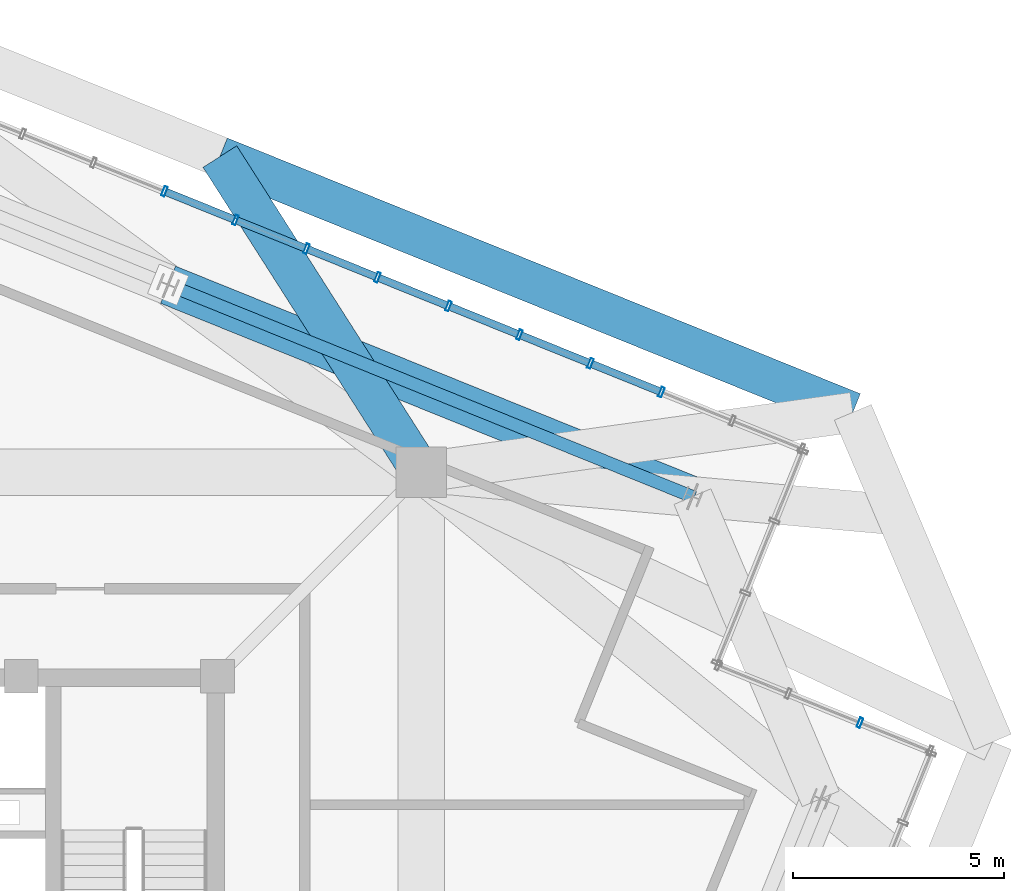
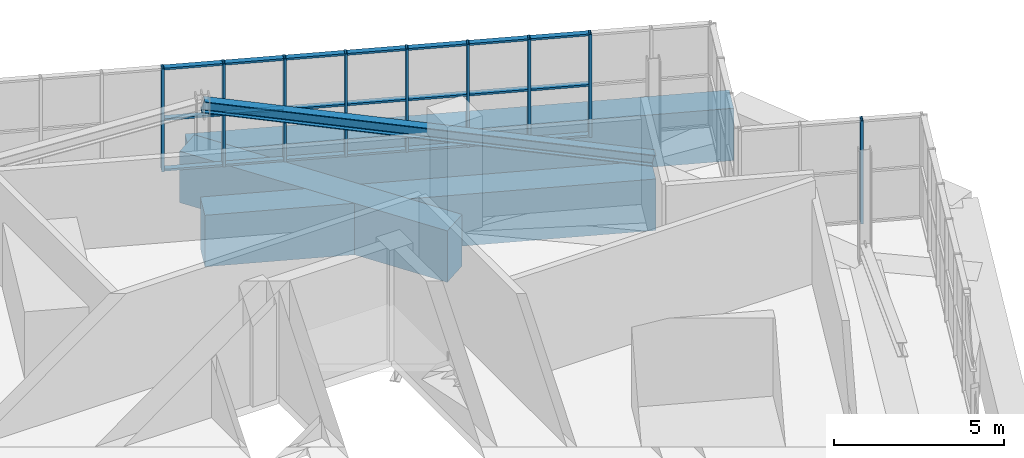
# One storey, part 26 of 35: 31 members, 3 beams, 2 elements without a shape of their own.
"""IFC4 building model written with IfcOpenShell, lengths in metres."""

from ifc_helpers import new_model, si_unit, direction, frame, origin, origin_2d, place, context, subcontext, project, spatial, rectangle, hollow_rectangle, i_section, extrude, source, transform, mapped, material, layer, layer_set, material_profile, profile_set, type_object, element, aggregate, save


model = new_model("IFC4")

# Units and contexts
model_context = context("Model", 3, precision=1e-05, world=origin(), true_north=direction((0.0, 1.0)))
body_context = subcontext(model_context, "Body", "Model", "MODEL_VIEW")
ifc_project = project(units=[si_unit("LENGTHUNIT", "METRE"), si_unit("AREAUNIT", "SQUARE_METRE"), si_unit("VOLUMEUNIT", "CUBIC_METRE"), si_unit("PLANEANGLEUNIT", "RADIAN"), si_unit("MASSUNIT", "GRAM", prefix="KILO"), si_unit("THERMODYNAMICTEMPERATUREUNIT", "KELVIN")], contexts=[model_context])

# Site, building, storey
site_placement = place(None, origin())
site = spatial("IfcSite", under=ifc_project, at=site_placement, CompositionType="ELEMENT")
building_placement = place(site_placement, origin())
building = spatial("IfcBuilding", under=site, at=building_placement, Name="Kosmvard Interchange Tower", CompositionType="ELEMENT")
storey_placement = place(building_placement, frame((0.0, 0.0, 321.60009765625)))
storey = spatial("IfcBuildingStorey", under=building, at=storey_placement, Name="L79", CompositionType="ELEMENT", Elevation=321.60009765625)

# Beams
ifc_material_1 = material(Name="Concrete C60/75", Category="concrete")
ifc_material_profile_1 = material_profile(ifc_material_1, rectangle(XDim=0.949951171875, YDim=1.8798828125, at=origin_2d()), Name="TG 950x1880")
ifc_profile_set_1 = profile_set([ifc_material_profile_1], Name="Concrete C60/75")
beam_type_1 = type_object("IfcBeamType", Name="Upper Long-Span Transfer Girder 950x1880 C60/75", PredefinedType="USERDEFINED", material=ifc_profile_set_1)
shared_shape_1 = source(origin(), body_context, "Body", "SweptSolid", [
    extrude(rectangle(XDim=0.949951171875, YDim=1.8798828125, at=origin_2d()), origin(), (0.0, 0.0, 1.0), 16.175048828125),
])
beam_1_placement = place(storey_placement, frame((23.30419921875, 14.5009765625, -0.940185546875), z_axis=(-0.927183472009, 0.374607540279, 0.0), x_axis=(-0.374607540279, -0.927183472009, 0.0)))
element("IfcBeam", 1, at=beam_1_placement, inside=storey, type_object=beam_type_1, Name="BM-L79-LR04", ObjectType="TRANSFER_GIRDER", PredefinedType="USERDEFINED", context=body_context, shape_type="MappedRepresentation", body=[
    mapped(shared_shape_1, transform((0.0, 0.0, 0.0), scale=1.0)),
])
ifc_material_profile_2 = material_profile(ifc_material_1, rectangle(XDim=0.949951171875, YDim=1.85009765625, at=origin_2d()), Name="TG 950x1850")
ifc_profile_set_2 = profile_set([ifc_material_profile_2], Name="Concrete C60/75")
beam_type_2 = type_object("IfcBeamType", Name="Upper Transfer Ring Girder 950x1850 C60/75", PredefinedType="USERDEFINED", material=ifc_profile_set_2)
shared_shape_2 = source(origin(), body_context, "Body", "SweptSolid", [
    extrude(rectangle(XDim=0.949951171875, YDim=1.85009765625, at=origin_2d()), origin(), (0.0, 0.0, 1.0), 8.873046875),
])
beam_2_placement = place(storey_placement, frame((13.0810546875, 13.0810546875, -0.925048828125), z_axis=(-0.538050011119, 0.842912916934, 0.0), x_axis=(-0.842912916934, -0.538050011119, 0.0)))
element("IfcBeam", 2, at=beam_2_placement, inside=storey, type_object=beam_type_2, Name="BM-L79-LD05", ObjectType="TRANSFER_GIRDER", PredefinedType="USERDEFINED", context=body_context, shape_type="MappedRepresentation", body=[
    mapped(shared_shape_2, transform((0.0, 0.0, 0.0), scale=1.0)),
])
shared_shape_3 = source(origin(), body_context, "Body", "SweptSolid", [
    extrude(rectangle(XDim=0.949951171875, YDim=1.85009765625, at=origin_2d()), origin(), (0.0, 0.0, 1.0), 13.39990234375),
])
beam_3_placement = place(storey_placement, frame((19.50439453125, 12.504150390625, -0.925048828125), z_axis=(-0.927189515839, 0.374592580972, 0.0), x_axis=(-0.374592580972, -0.927189515839, 0.0)))
element("IfcBeam", 3, at=beam_3_placement, inside=storey, type_object=beam_type_2, Name="BM-L79-PR04", ObjectType="TRANSFER_GIRDER", PredefinedType="USERDEFINED", context=body_context, shape_type="MappedRepresentation", body=[
    mapped(shared_shape_3, transform((0.0, 0.0, 0.0), scale=1.0)),
])

# Member
ifc_material_2 = material(Name="Steel S355", Category="steel")
ifc_material_profile_3 = material_profile(ifc_material_2, i_section(OverallWidth=0.300048828125, OverallDepth=0.39990234375, WebThickness=0.013427734375, FlangeThickness=0.02392578125, FilletRadius=0.027099609375, at=origin_2d()), Name="HEB 400")
ifc_profile_set_3 = profile_set([ifc_material_profile_3], Name="Steel S355")
member_type_1 = type_object("IfcMemberType", Name="Lantern Crown Diagrid Brace HEB 400 S355", PredefinedType="BRACE", material=ifc_profile_set_3)
shared_shape_4 = source(origin(), body_context, "Body", "SweptSolid", [
    extrude(i_section(OverallWidth=0.300048828125, OverallDepth=0.39990234375, WebThickness=0.013427734375, FlangeThickness=0.02392578125, FilletRadius=0.027099609375, at=origin_2d()), origin(), (0.0, 0.0, 1.0), 13.78369140625),
])
member_1_placement = place(storey_placement, frame((19.50439453125, 12.504150390625, 0.419921875), z_axis=(-0.901373372792, 0.364162635972, 0.234332279859), x_axis=(-0.374592580972, -0.927189515839, 0.0)))
element("IfcMember", 4, at=member_1_placement, inside=storey, type_object=member_type_1, Name="L79 Crown Lantern Diagrid Brace E1", PredefinedType="BRACE", context=body_context, shape_type="MappedRepresentation", body=[
    mapped(shared_shape_4, transform((0.0, 0.0, 0.0), scale=1.0)),
])

# Curtain wall, member
ifc_material_3 = material(Name="Architectural anodised aluminium", Category="aluminium")
ifc_layer = layer(ifc_material_3, 0.25, Name="Architectural anodised aluminium")
ifc_layer_set = layer_set([ifc_layer], Name="Architectural anodised aluminium")
curtain_wall_type = type_object("IfcCurtainWallType", Name="CW-6 Illuminated Crown Lantern Curtain Wall", PredefinedType="NOTDEFINED", material=ifc_layer_set)
curtain_wall_1_placement = place(storey_placement, origin())
curtain_wall_1 = element("IfcCurtainWall", 5, at=curtain_wall_1_placement, inside=storey, type_object=curtain_wall_type, Name="L79 Crown Lantern Glazing Face 02", PredefinedType="NOTDEFINED")
ifc_material_profile_4 = material_profile(ifc_material_3, hollow_rectangle(XDim=0.239990234375, YDim=0.080078125, WallThickness=0.006103515625, at=origin_2d()), Name="CWM 240x80x6")
ifc_profile_set_4 = profile_set([ifc_material_profile_4], Name="Architectural anodised aluminium")
member_type_2 = type_object("IfcMemberType", Name="Lantern & Observation CW Mullion 240x80 Aluminium", PredefinedType="MULLION", material=ifc_profile_set_4)
shared_shape_5 = source(origin(), body_context, "Body", "SweptSolid", [
    extrude(hollow_rectangle(XDim=0.239990234375, YDim=0.080078125, WallThickness=0.006103515625, at=origin_2d()), origin(), (0.0, 0.0, 1.0), 3.699951171875),
])
member_2_placement = place(storey_placement, frame((23.473388671875, 7.147216796875, 0.0), z_axis=(0.0, 0.0, 1.0), x_axis=(-0.374606564822, -0.92718386612, 0.0)))
member_2 = element("IfcMember", 6, at=member_2_placement, type_object=member_type_2, Name="CW-6 mullion 2", PredefinedType="MULLION", context=body_context, shape_type="MappedRepresentation", body=[
    mapped(shared_shape_5, transform((0.0, 0.0, 0.0), scale=1.0)),
])
aggregate(curtain_wall_1, [member_2])

# Curtain wall, members
curtain_wall_2_placement = place(storey_placement, origin())
curtain_wall_2 = element("IfcCurtainWall", 7, at=curtain_wall_2_placement, inside=storey, type_object=curtain_wall_type, Name="L79 Crown Lantern Glazing Face 04", PredefinedType="NOTDEFINED")
member_3_placement = place(storey_placement, frame((18.77001953125, 14.9794921875, 0.0), z_axis=(0.0, 0.0, 1.0), x_axis=(-0.374606584758, -0.927183858065, 0.0)))
member_3 = element("IfcMember", 8, at=member_3_placement, type_object=member_type_2, Name="CW-6 mullion 3", PredefinedType="MULLION", context=body_context, shape_type="MappedRepresentation", body=[
    mapped(shared_shape_5, transform((0.0, 0.0, 0.0), scale=1.0)),
])
member_4_placement = place(storey_placement, frame((17.087890625, 15.658935546875, 0.0), z_axis=(0.0, 0.0, 1.0), x_axis=(-0.374606584758, -0.927183858065, 0.0)))
member_4 = element("IfcMember", 9, at=member_4_placement, type_object=member_type_2, Name="CW-6 mullion 4", PredefinedType="MULLION", context=body_context, shape_type="MappedRepresentation", body=[
    mapped(shared_shape_5, transform((0.0, 0.0, 0.0), scale=1.0)),
])
member_5_placement = place(storey_placement, frame((15.40576171875, 16.338623046875, 0.0), z_axis=(0.0, 0.0, 1.0), x_axis=(-0.374606584758, -0.927183858065, 0.0)))
member_5 = element("IfcMember", 10, at=member_5_placement, type_object=member_type_2, Name="CW-6 mullion 5", PredefinedType="MULLION", context=body_context, shape_type="MappedRepresentation", body=[
    mapped(shared_shape_5, transform((0.0, 0.0, 0.0), scale=1.0)),
])
member_6_placement = place(storey_placement, frame((13.723876953125, 17.01806640625, 0.0), z_axis=(0.0, 0.0, 1.0), x_axis=(-0.374606584758, -0.927183858065, 0.0)))
member_6 = element("IfcMember", 11, at=member_6_placement, type_object=member_type_2, Name="CW-6 mullion 6", PredefinedType="MULLION", context=body_context, shape_type="MappedRepresentation", body=[
    mapped(shared_shape_5, transform((0.0, 0.0, 0.0), scale=1.0)),
])
member_7_placement = place(storey_placement, frame((12.041748046875, 17.69775390625, 0.0), z_axis=(0.0, 0.0, 1.0), x_axis=(-0.374606584758, -0.927183858065, 0.0)))
member_7 = element("IfcMember", 12, at=member_7_placement, type_object=member_type_2, Name="CW-6 mullion 7", PredefinedType="MULLION", context=body_context, shape_type="MappedRepresentation", body=[
    mapped(shared_shape_5, transform((0.0, 0.0, 0.0), scale=1.0)),
])
member_8_placement = place(storey_placement, frame((10.35986328125, 18.377197265625, 0.0), z_axis=(0.0, 0.0, 1.0), x_axis=(-0.374606584758, -0.927183858065, 0.0)))
member_8 = element("IfcMember", 13, at=member_8_placement, type_object=member_type_2, Name="CW-6 mullion 8", PredefinedType="MULLION", context=body_context, shape_type="MappedRepresentation", body=[
    mapped(shared_shape_5, transform((0.0, 0.0, 0.0), scale=1.0)),
])
member_9_placement = place(storey_placement, frame((8.677734375, 19.056884765625, 0.0), z_axis=(0.0, 0.0, 1.0), x_axis=(-0.374606584758, -0.927183858065, 0.0)))
member_9 = element("IfcMember", 14, at=member_9_placement, type_object=member_type_2, Name="CW-6 mullion 9", PredefinedType="MULLION", context=body_context, shape_type="MappedRepresentation", body=[
    mapped(shared_shape_5, transform((0.0, 0.0, 0.0), scale=1.0)),
])
member_10_placement = place(storey_placement, frame((6.995849609375, 19.736572265625, 0.0), z_axis=(0.0, 0.0, 1.0), x_axis=(-0.374606584758, -0.927183858065, 0.0)))
member_10 = element("IfcMember", 15, at=member_10_placement, type_object=member_type_2, Name="CW-6 mullion 10", PredefinedType="MULLION", context=body_context, shape_type="MappedRepresentation", body=[
    mapped(shared_shape_5, transform((0.0, 0.0, 0.0), scale=1.0)),
])
ifc_material_profile_5 = material_profile(ifc_material_3, hollow_rectangle(XDim=0.179931640625, YDim=0.070068359375, WallThickness=0.0048828125, at=origin_2d()), Name="CWT 180x70x5")
ifc_profile_set_5 = profile_set([ifc_material_profile_5], Name="Architectural anodised aluminium")
member_type_3 = type_object("IfcMemberType", Name="Heavy Lantern CW Transom 180x70 Aluminium", PredefinedType="USERDEFINED", material=ifc_profile_set_5)
shared_shape_6 = source(origin(), body_context, "Body", "SweptSolid", [
    extrude(hollow_rectangle(XDim=0.179931640625, YDim=0.070068359375, WallThickness=0.0048828125, at=origin_2d()), origin(), (0.0, 0.0, 1.0), 1.734130859375),
])
member_11_placement = place(storey_placement, frame((18.73291015625, 14.994384765625, 0.034912109375), z_axis=(-0.927179782522, 0.374616671924, 0.0), x_axis=(-0.374616671924, -0.927179782522, 0.0)))
member_11 = element("IfcMember", 16, at=member_11_placement, type_object=member_type_3, Name="CW-6 transom 3.1", ObjectType="TRANSOM", PredefinedType="USERDEFINED", context=body_context, shape_type="MappedRepresentation", body=[
    mapped(shared_shape_6, transform((0.0, 0.0, 0.0), scale=1.0)),
])
member_12_placement = place(storey_placement, frame((18.73291015625, 14.994384765625, 1.849853515625), z_axis=(-0.927179782522, 0.374616671924, 0.0), x_axis=(-0.374616671924, -0.927179782522, 0.0)))
member_12 = element("IfcMember", 17, at=member_12_placement, type_object=member_type_3, Name="CW-6 transom 3.2", ObjectType="TRANSOM", PredefinedType="USERDEFINED", context=body_context, shape_type="MappedRepresentation", body=[
    mapped(shared_shape_6, transform((0.0, 0.0, 0.0), scale=1.0)),
])
member_13_placement = place(storey_placement, frame((18.73291015625, 14.994384765625, 3.664794921875), z_axis=(-0.927179782522, 0.374616671924, 0.0), x_axis=(-0.374616671924, -0.927179782522, 0.0)))
member_13 = element("IfcMember", 18, at=member_13_placement, type_object=member_type_3, Name="CW-6 transom 3.3", ObjectType="TRANSOM", PredefinedType="USERDEFINED", context=body_context, shape_type="MappedRepresentation", body=[
    mapped(shared_shape_6, transform((0.0, 0.0, 0.0), scale=1.0)),
])
member_14_placement = place(storey_placement, frame((17.05078125, 15.674072265625, 0.034912109375), z_axis=(-0.927228675447, 0.374495638732, 0.0), x_axis=(-0.374495638732, -0.927228675447, 0.0)))
member_14 = element("IfcMember", 19, at=member_14_placement, type_object=member_type_3, Name="CW-6 transom 4.1", ObjectType="TRANSOM", PredefinedType="USERDEFINED", context=body_context, shape_type="MappedRepresentation", body=[
    mapped(shared_shape_6, transform((0.0, 0.0, 0.0), scale=1.0)),
])
member_15_placement = place(storey_placement, frame((17.05078125, 15.674072265625, 1.849853515625), z_axis=(-0.927228675447, 0.374495638732, 0.0), x_axis=(-0.374495638732, -0.927228675447, 0.0)))
member_15 = element("IfcMember", 20, at=member_15_placement, type_object=member_type_3, Name="CW-6 transom 4.2", ObjectType="TRANSOM", PredefinedType="USERDEFINED", context=body_context, shape_type="MappedRepresentation", body=[
    mapped(shared_shape_6, transform((0.0, 0.0, 0.0), scale=1.0)),
])
member_16_placement = place(storey_placement, frame((17.05078125, 15.674072265625, 3.664794921875), z_axis=(-0.927228675447, 0.374495638732, 0.0), x_axis=(-0.374495638732, -0.927228675447, 0.0)))
member_16 = element("IfcMember", 21, at=member_16_placement, type_object=member_type_3, Name="CW-6 transom 4.3", ObjectType="TRANSOM", PredefinedType="USERDEFINED", context=body_context, shape_type="MappedRepresentation", body=[
    mapped(shared_shape_6, transform((0.0, 0.0, 0.0), scale=1.0)),
])
member_17_placement = place(storey_placement, frame((15.368896484375, 16.353515625, 0.034912109375), z_axis=(-0.927179782522, 0.374616671924, 0.0), x_axis=(-0.374616671924, -0.927179782522, 0.0)))
member_17 = element("IfcMember", 22, at=member_17_placement, type_object=member_type_3, Name="CW-6 transom 5.1", ObjectType="TRANSOM", PredefinedType="USERDEFINED", context=body_context, shape_type="MappedRepresentation", body=[
    mapped(shared_shape_6, transform((0.0, 0.0, 0.0), scale=1.0)),
])
member_18_placement = place(storey_placement, frame((15.368896484375, 16.353515625, 1.849853515625), z_axis=(-0.927179782522, 0.374616671924, 0.0), x_axis=(-0.374616671924, -0.927179782522, 0.0)))
member_18 = element("IfcMember", 23, at=member_18_placement, type_object=member_type_3, Name="CW-6 transom 5.2", ObjectType="TRANSOM", PredefinedType="USERDEFINED", context=body_context, shape_type="MappedRepresentation", body=[
    mapped(shared_shape_6, transform((0.0, 0.0, 0.0), scale=1.0)),
])
member_19_placement = place(storey_placement, frame((15.368896484375, 16.353515625, 3.664794921875), z_axis=(-0.927179782522, 0.374616671924, 0.0), x_axis=(-0.374616671924, -0.927179782522, 0.0)))
member_19 = element("IfcMember", 24, at=member_19_placement, type_object=member_type_3, Name="CW-6 transom 5.3", ObjectType="TRANSOM", PredefinedType="USERDEFINED", context=body_context, shape_type="MappedRepresentation", body=[
    mapped(shared_shape_6, transform((0.0, 0.0, 0.0), scale=1.0)),
])
member_20_placement = place(storey_placement, frame((13.686767578125, 17.033203125, 0.034912109375), z_axis=(-0.927179782522, 0.374616671924, 0.0), x_axis=(-0.374616671924, -0.927179782522, 0.0)))
member_20 = element("IfcMember", 25, at=member_20_placement, type_object=member_type_3, Name="CW-6 transom 6.1", ObjectType="TRANSOM", PredefinedType="USERDEFINED", context=body_context, shape_type="MappedRepresentation", body=[
    mapped(shared_shape_6, transform((0.0, 0.0, 0.0), scale=1.0)),
])
member_21_placement = place(storey_placement, frame((13.686767578125, 17.033203125, 1.849853515625), z_axis=(-0.927179782522, 0.374616671924, 0.0), x_axis=(-0.374616671924, -0.927179782522, 0.0)))
member_21 = element("IfcMember", 26, at=member_21_placement, type_object=member_type_3, Name="CW-6 transom 6.2", ObjectType="TRANSOM", PredefinedType="USERDEFINED", context=body_context, shape_type="MappedRepresentation", body=[
    mapped(shared_shape_6, transform((0.0, 0.0, 0.0), scale=1.0)),
])
member_22_placement = place(storey_placement, frame((13.686767578125, 17.033203125, 3.664794921875), z_axis=(-0.927179782522, 0.374616671924, 0.0), x_axis=(-0.374616671924, -0.927179782522, 0.0)))
member_22 = element("IfcMember", 27, at=member_22_placement, type_object=member_type_3, Name="CW-6 transom 6.3", ObjectType="TRANSOM", PredefinedType="USERDEFINED", context=body_context, shape_type="MappedRepresentation", body=[
    mapped(shared_shape_6, transform((0.0, 0.0, 0.0), scale=1.0)),
])
member_23_placement = place(storey_placement, frame((10.32275390625, 18.392333984375, 0.034912109375), z_axis=(-0.927179782522, 0.374616671924, 0.0), x_axis=(-0.374616671924, -0.927179782522, 0.0)))
member_23 = element("IfcMember", 28, at=member_23_placement, type_object=member_type_3, Name="CW-6 transom 8.1", ObjectType="TRANSOM", PredefinedType="USERDEFINED", context=body_context, shape_type="MappedRepresentation", body=[
    mapped(shared_shape_6, transform((0.0, 0.0, 0.0), scale=1.0)),
])
member_24_placement = place(storey_placement, frame((10.32275390625, 18.392333984375, 1.849853515625), z_axis=(-0.927179782522, 0.374616671924, 0.0), x_axis=(-0.374616671924, -0.927179782522, 0.0)))
member_24 = element("IfcMember", 29, at=member_24_placement, type_object=member_type_3, Name="CW-6 transom 8.2", ObjectType="TRANSOM", PredefinedType="USERDEFINED", context=body_context, shape_type="MappedRepresentation", body=[
    mapped(shared_shape_6, transform((0.0, 0.0, 0.0), scale=1.0)),
])
member_25_placement = place(storey_placement, frame((10.32275390625, 18.392333984375, 3.664794921875), z_axis=(-0.927179782522, 0.374616671924, 0.0), x_axis=(-0.374616671924, -0.927179782522, 0.0)))
member_25 = element("IfcMember", 30, at=member_25_placement, type_object=member_type_3, Name="CW-6 transom 8.3", ObjectType="TRANSOM", PredefinedType="USERDEFINED", context=body_context, shape_type="MappedRepresentation", body=[
    mapped(shared_shape_6, transform((0.0, 0.0, 0.0), scale=1.0)),
])
shared_shape_7 = source(origin(), body_context, "Body", "SweptSolid", [
    extrude(hollow_rectangle(XDim=0.179931640625, YDim=0.070068359375, WallThickness=0.0048828125, at=origin_2d()), origin(), (0.0, 0.0, 1.0), 1.73388671875),
])
member_26_placement = place(storey_placement, frame((12.004638671875, 17.712646484375, 0.034912109375), z_axis=(-0.927160021861, 0.374665576032, 0.0), x_axis=(-0.374665576032, -0.927160021861, 0.0)))
member_26 = element("IfcMember", 31, at=member_26_placement, type_object=member_type_3, Name="CW-6 transom 7.1", ObjectType="TRANSOM", PredefinedType="USERDEFINED", context=body_context, shape_type="MappedRepresentation", body=[
    mapped(shared_shape_7, transform((0.0, 0.0, 0.0), scale=1.0)),
])
member_27_placement = place(storey_placement, frame((12.004638671875, 17.712646484375, 1.849853515625), z_axis=(-0.927160021861, 0.374665576032, 0.0), x_axis=(-0.374665576032, -0.927160021861, 0.0)))
member_27 = element("IfcMember", 32, at=member_27_placement, type_object=member_type_3, Name="CW-6 transom 7.2", ObjectType="TRANSOM", PredefinedType="USERDEFINED", context=body_context, shape_type="MappedRepresentation", body=[
    mapped(shared_shape_7, transform((0.0, 0.0, 0.0), scale=1.0)),
])
member_28_placement = place(storey_placement, frame((12.004638671875, 17.712646484375, 3.664794921875), z_axis=(-0.927160021861, 0.374665576032, 0.0), x_axis=(-0.374665576032, -0.927160021861, 0.0)))
member_28 = element("IfcMember", 33, at=member_28_placement, type_object=member_type_3, Name="CW-6 transom 7.3", ObjectType="TRANSOM", PredefinedType="USERDEFINED", context=body_context, shape_type="MappedRepresentation", body=[
    mapped(shared_shape_7, transform((0.0, 0.0, 0.0), scale=1.0)),
])
member_29_placement = place(storey_placement, frame((8.640625, 19.07177734375, 0.034912109375), z_axis=(-0.927160021861, 0.374665576032, 0.0), x_axis=(-0.374665576032, -0.927160021861, 0.0)))
member_29 = element("IfcMember", 34, at=member_29_placement, type_object=member_type_3, Name="CW-6 transom 9.1", ObjectType="TRANSOM", PredefinedType="USERDEFINED", context=body_context, shape_type="MappedRepresentation", body=[
    mapped(shared_shape_7, transform((0.0, 0.0, 0.0), scale=1.0)),
])
member_30_placement = place(storey_placement, frame((8.640625, 19.07177734375, 1.849853515625), z_axis=(-0.927160021861, 0.374665576032, 0.0), x_axis=(-0.374665576032, -0.927160021861, 0.0)))
member_30 = element("IfcMember", 35, at=member_30_placement, type_object=member_type_3, Name="CW-6 transom 9.2", ObjectType="TRANSOM", PredefinedType="USERDEFINED", context=body_context, shape_type="MappedRepresentation", body=[
    mapped(shared_shape_7, transform((0.0, 0.0, 0.0), scale=1.0)),
])
member_31_placement = place(storey_placement, frame((8.640625, 19.07177734375, 3.664794921875), z_axis=(-0.927160021861, 0.374665576032, 0.0), x_axis=(-0.374665576032, -0.927160021861, 0.0)))
member_31 = element("IfcMember", 36, at=member_31_placement, type_object=member_type_3, Name="CW-6 transom 9.3", ObjectType="TRANSOM", PredefinedType="USERDEFINED", context=body_context, shape_type="MappedRepresentation", body=[
    mapped(shared_shape_7, transform((0.0, 0.0, 0.0), scale=1.0)),
])
aggregate(curtain_wall_2, [member_3, member_4, member_5, member_6, member_7, member_8, member_9, member_10, member_11, member_12, member_13, member_14, member_15, member_16, member_17, member_18, member_19, member_20, member_21, member_22, member_26, member_27, member_28, member_23, member_24, member_25, member_29, member_30, member_31])

save(model, "model.ifc")
